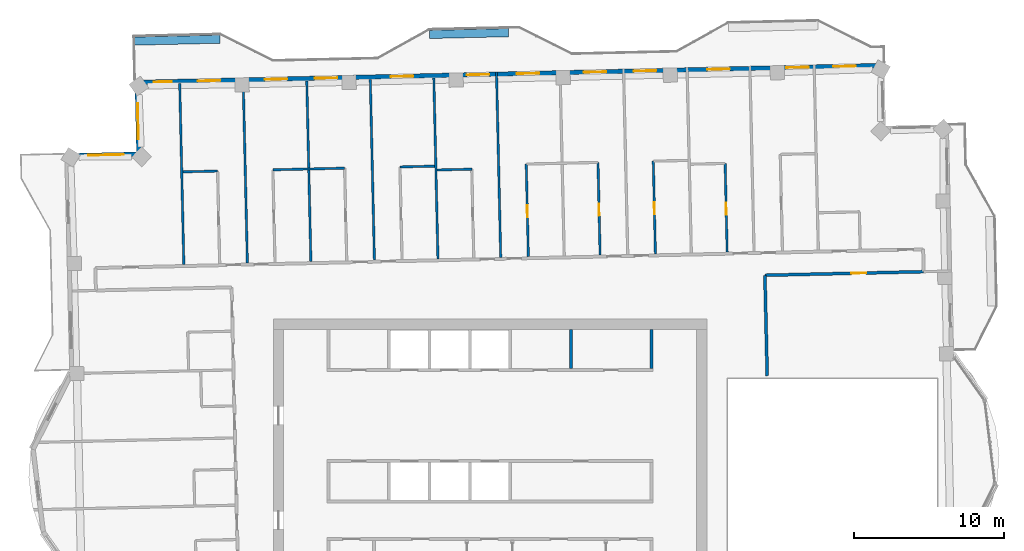
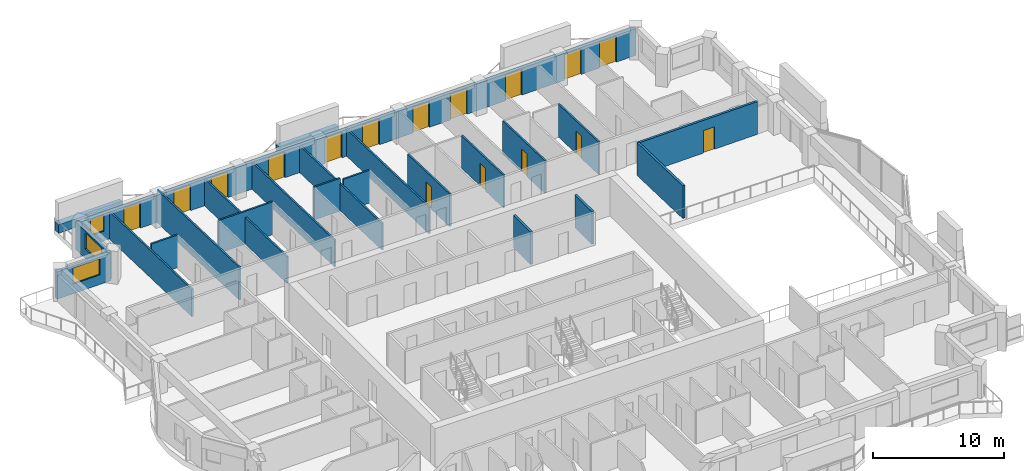
# One storey, part 12 of 18: 23 walls, 16 doors, 3 windows, 19 openings.
"""IFC4 building model written with IfcOpenShell, lengths in metres."""

from ifc_helpers import new_model, si_unit, direction, frame, frame_2d, origin, place, context, subcontext, project, spatial, rectangle, extrude, material, layer, layer_set, type_object, element, fill, save


model = new_model("IFC4")

# Units and contexts
model_context = context("Model", 3, precision=1e-05, world=origin(), true_north=direction((0.0, 1.0)))
body_context = subcontext(model_context, "Body", "Model", "MODEL_VIEW")
ifc_project = project(units=[si_unit("LENGTHUNIT", "METRE"), si_unit("AREAUNIT", "SQUARE_METRE"), si_unit("VOLUMEUNIT", "CUBIC_METRE"), si_unit("PLANEANGLEUNIT", "RADIAN"), si_unit("MASSUNIT", "GRAM", prefix="KILO")], contexts=[model_context])

# Site, building, storey
site_placement = place(None, origin())
site = spatial("IfcSite", under=ifc_project, at=site_placement, CompositionType="ELEMENT")
building_placement = place(site_placement, origin())
building = spatial("IfcBuilding", under=site, at=building_placement, Name="Mangrove Gate Tower", CompositionType="ELEMENT")
storey_placement = place(building_placement, frame((0.0, 0.0, 290.699951171875)))
storey = spatial("IfcBuildingStorey", under=building, at=storey_placement, Name="L74", CompositionType="ELEMENT", Elevation=290.699951171875)

# Walls
ifc_material_1 = material(Name="Concrete C32/40", Category="concrete")
ifc_layer_1 = layer(ifc_material_1, 0.199951171875)
ifc_layer_set_1 = layer_set([ifc_layer_1], Name="Core room wall 200 C32/40")
wall_type_1 = type_object("IfcWallType", Name="Core room wall 200 C32/40", PredefinedType="STANDARD", material=ifc_layer_set_1)
for number, where, z_axis, x_axis, name in (
    (1, (5.39990234375, 8.199951171875, 0.0), (0.0, 0.0, 1.0), (0.0, 1.0, 0.0), "WALL-L74-CORE-30"),
    (2, (10.800048828125, 8.199951171875, 0.0), (0.0, 0.0, 1.0), (0.0, 1.0, 0.0), "WALL-L74-CORE-31"),
):
    element("IfcWall", number, at=place(storey_placement, frame(where, z_axis=z_axis, x_axis=x_axis)), inside=storey, type_object=wall_type_1, Name=name, PredefinedType="STANDARD", context=body_context, shape_type="SweptSolid", body=[
        extrude(rectangle(XDim=2.60009765625, YDim=0.199951171875, at=frame_2d((1.300048828125, 0.0))), origin(), (0.0, 0.0, 1.0), 3.050048828125),
    ])
ifc_material_2 = material(Name="Gypsum board on steel stud, EI 60", Category="steel")
ifc_layer_2 = layer(ifc_material_2, 0.199951171875)
ifc_layer_set_2 = layer_set([ifc_layer_2], Name="Corridor wall EI 60")
wall_type_2 = type_object("IfcWallType", Name="Corridor wall EI 60", PredefinedType="PARTITIONING", material=ifc_layer_set_2)
wall_1_placement = place(storey_placement, frame((18.537109375, 7.714111328125, 0.0), z_axis=(0.0, 0.0, 1.0), x_axis=(-0.022773383809, 0.999740652864, 0.0)))
element("IfcWall", 3, at=wall_1_placement, inside=storey, type_object=wall_type_2, Name="WALL-L74-050", PredefinedType="PARTITIONING", context=body_context, shape_type="SweptSolid", body=[
    extrude(rectangle(XDim=6.7216796875, YDim=0.199951171875, at=frame_2d((3.36083984375, 0.0))), origin(), (0.0, 0.0, 1.0), 3.050048828125),
])

# Wall, opening, door
wall_2_placement = place(storey_placement, frame((18.382080078125, 14.43408203125, 0.0), z_axis=(0.0, 0.0, 1.0), x_axis=(0.999742819156, 0.02267808514, 0.0)))
wall_2 = element("IfcWall", 4, at=wall_2_placement, inside=storey, type_object=wall_type_2, Name="WALL-L74-057", PredefinedType="PARTITIONING", context=body_context, shape_type="SweptSolid", body=[
    extrude(rectangle(XDim=10.62548828125, YDim=0.199951171875, at=frame_2d((5.312744140625, 0.0))), origin(), (0.0, 0.0, 1.0), 3.050048828125),
])
opening_1_placement = place(wall_2_placement, frame((5.777099609375, 0.0, 0.0)))
opening_1 = element("IfcOpeningElement", 5, at=opening_1_placement, cuts=wall_2, Name="Opening AD", PredefinedType="OPENING", context=body_context, shape_type="SweptSolid", body=[
    extrude(rectangle(XDim=1.0, YDim=2.10009765625, at=frame_2d((0.5, 1.050048828125))), frame((0.0, 0.10986328125, 0.0), z_axis=(0.0, -1.0, 0.0), x_axis=(1.0, 0.0, 0.0)), (0.0, 0.0, 1.0), 0.219970703125),
])
ifc_material_3 = material(Name="Timber door leaf", Category="wood")
door_type_1 = type_object("IfcDoorType", Name="Amenity door 1000", OperationType="SINGLE_SWING_LEFT", PredefinedType="DOOR", material=ifc_material_3)
door_1_placement = place(opening_1_placement, origin())
door_1 = element("IfcDoor", 6, at=door_1_placement, inside=storey, type_object=door_type_1, Name="DOOR-L74-LNG-c3b", OperationType="SINGLE_SWING_RIGHT", OverallHeight=2.10009765625, OverallWidth=1.0, PredefinedType="DOOR", context=body_context, shape_type="SweptSolid", body=[
    extrude(rectangle(XDim=1.0, YDim=2.10009765625, at=frame_2d((0.5, 1.050048828125))), frame((0.0, 0.02490234375, 0.0), z_axis=(0.0, -1.0, 0.0), x_axis=(1.0, 0.0, 0.0)), (0.0, 0.0, 1.0), 0.050048828125),
])
fill(opening_1, door_1)

# Wall, openings, doors, window
ifc_material_4 = material(Name="Limestone", Category="masonry")
ifc_layer_3 = layer(ifc_material_4, 0.0400390625, Name="Limestone cladding")
ifc_material_5 = material(Name="Ventilated air gap")
ifc_layer_4 = layer(ifc_material_5, 0.0400390625, Name="Ventilated cavity")
ifc_material_6 = material(Name="Mineral wool insulation")
ifc_layer_5 = layer(ifc_material_6, 0.06005859375, Name="Insulation")
ifc_material_7 = material(Name="Breather membrane")
ifc_layer_6 = layer(ifc_material_7, 0.001953125, Name="Breather membrane")
ifc_material_8 = material(Name="Concrete C20/25 blockwork", Category="masonry")
ifc_layer_7 = layer(ifc_material_8, 0.14990234375, Name="Blockwork backing wall")
ifc_material_9 = material(Name="Gypsum plaster")
ifc_layer_8 = layer(ifc_material_9, 0.008056640625, Name="Internal plaster")
ifc_layer_set_3 = layer_set([ifc_layer_3, ifc_layer_4, ifc_layer_5, ifc_layer_6, ifc_layer_7, ifc_layer_8], Name="External wall 300 limestone cladding")
wall_type_3 = type_object("IfcWallType", Name="External wall 300 limestone cladding", PredefinedType="SOLIDWALL", material=ifc_layer_set_3)
wall_3_placement = place(storey_placement, frame((26.216064453125, 28.465087890625, 0.0), z_axis=(0.0, 0.0, 1.0), x_axis=(-0.999742843677, -0.022677004157, 0.0)))
wall_3 = element("IfcWall", 7, at=wall_3_placement, inside=storey, type_object=wall_type_3, Name="WALL-L74-N5", PredefinedType="SOLIDWALL", context=body_context, shape_type="SweptSolid", body=[
    extrude(rectangle(XDim=49.835693359375, YDim=0.300048828125, at=frame_2d((24.91796875, 0.0))), origin(), (0.0, 0.0, 1.0), 2.5),
])
opening_2_placement = place(wall_3_placement, frame((1.762939453125, 0.0, 0.0)))
opening_2 = element("IfcOpeningElement", 8, at=opening_2_placement, cuts=wall_3, Name="Opening BD1", PredefinedType="OPENING", context=body_context, shape_type="SweptSolid", body=[
    extrude(rectangle(XDim=1.5, YDim=2.39990234375, at=frame_2d((0.75, 1.199951171875))), frame((0.0, 0.159912109375, 0.0), z_axis=(0.0, -1.0, 0.0), x_axis=(1.0, 0.0, 0.0)), (0.0, 0.0, 1.0), 0.320068359375),
])
opening_3_placement = place(wall_3_placement, frame((4.912109375, 0.0, 0.0)))
opening_3 = element("IfcOpeningElement", 9, at=opening_3_placement, cuts=wall_3, Name="Opening BD1", PredefinedType="OPENING", context=body_context, shape_type="SweptSolid", body=[
    extrude(rectangle(XDim=1.5, YDim=2.39990234375, at=frame_2d((0.75, 1.199951171875))), frame((0.0, 0.159912109375, 0.0), z_axis=(0.0, -1.0, 0.0), x_axis=(1.0, 0.0, 0.0)), (0.0, 0.0, 1.0), 0.320068359375),
])
opening_4_placement = place(wall_3_placement, frame((10.18603515625, 0.0, 0.0)))
opening_4 = element("IfcOpeningElement", 10, at=opening_4_placement, cuts=wall_3, Name="Opening BD1", PredefinedType="OPENING", context=body_context, shape_type="SweptSolid", body=[
    extrude(rectangle(XDim=1.5, YDim=2.39990234375, at=frame_2d((0.75, 1.199951171875))), frame((0.0, 0.159912109375, 0.0), z_axis=(0.0, -1.0, 0.0), x_axis=(1.0, 0.0, 0.0)), (0.0, 0.0, 1.0), 0.320068359375),
])
opening_5_placement = place(wall_3_placement, frame((15.093017578125, 0.0, 0.0)))
opening_5 = element("IfcOpeningElement", 11, at=opening_5_placement, cuts=wall_3, Name="Opening BD1", PredefinedType="OPENING", context=body_context, shape_type="SweptSolid", body=[
    extrude(rectangle(XDim=1.5, YDim=2.39990234375, at=frame_2d((0.75, 1.199951171875))), frame((0.0, 0.159912109375, 0.0), z_axis=(0.0, -1.0, 0.0), x_axis=(1.0, 0.0, 0.0)), (0.0, 0.0, 1.0), 0.320068359375),
])
opening_6_placement = place(wall_3_placement, frame((18.448974609375, 0.0, 0.0)))
opening_6 = element("IfcOpeningElement", 12, at=opening_6_placement, cuts=wall_3, Name="Opening BD1", PredefinedType="OPENING", context=body_context, shape_type="SweptSolid", body=[
    extrude(rectangle(XDim=1.5, YDim=2.39990234375, at=frame_2d((0.75, 1.199951171875))), frame((0.0, 0.159912109375, 0.0), z_axis=(0.0, -1.0, 0.0), x_axis=(1.0, 0.0, 0.0)), (0.0, 0.0, 1.0), 0.320068359375),
])
opening_7_placement = place(wall_3_placement, frame((22.924072265625, 0.0, 0.0)))
opening_7 = element("IfcOpeningElement", 13, at=opening_7_placement, cuts=wall_3, Name="Opening BD1", PredefinedType="OPENING", context=body_context, shape_type="SweptSolid", body=[
    extrude(rectangle(XDim=1.5, YDim=2.39990234375, at=frame_2d((0.75, 1.199951171875))), frame((0.0, 0.159912109375, 0.0), z_axis=(0.0, -1.0, 0.0), x_axis=(1.0, 0.0, 0.0)), (0.0, 0.0, 1.0), 0.320068359375),
])
opening_8_placement = place(wall_3_placement, frame((26.280029296875, 0.0, 0.0)))
opening_8 = element("IfcOpeningElement", 14, at=opening_8_placement, cuts=wall_3, Name="Opening BD1", PredefinedType="OPENING", context=body_context, shape_type="SweptSolid", body=[
    extrude(rectangle(XDim=1.5, YDim=2.39990234375, at=frame_2d((0.75, 1.199951171875))), frame((0.0, 0.159912109375, 0.0), z_axis=(0.0, -1.0, 0.0), x_axis=(1.0, 0.0, 0.0)), (0.0, 0.0, 1.0), 0.320068359375),
])
opening_9_placement = place(wall_3_placement, frame((31.361083984375, 0.0, 0.0)))
opening_9 = element("IfcOpeningElement", 15, at=opening_9_placement, cuts=wall_3, Name="Opening BD1", PredefinedType="OPENING", context=body_context, shape_type="SweptSolid", body=[
    extrude(rectangle(XDim=1.5, YDim=2.39990234375, at=frame_2d((0.75, 1.199951171875))), frame((0.0, 0.159912109375, 0.0), z_axis=(0.0, -1.0, 0.0), x_axis=(1.0, 0.0, 0.0)), (0.0, 0.0, 1.0), 0.320068359375),
])
opening_10_placement = place(wall_3_placement, frame((36.43701171875, 0.0, 0.0)))
opening_10 = element("IfcOpeningElement", 16, at=opening_10_placement, cuts=wall_3, Name="Opening BD1", PredefinedType="OPENING", context=body_context, shape_type="SweptSolid", body=[
    extrude(rectangle(XDim=1.5, YDim=2.39990234375, at=frame_2d((0.75, 1.199951171875))), frame((0.0, 0.159912109375, 0.0), z_axis=(0.0, -1.0, 0.0), x_axis=(1.0, 0.0, 0.0)), (0.0, 0.0, 1.0), 0.320068359375),
])
opening_11_placement = place(wall_3_placement, frame((39.79296875, 0.0, 0.0)))
opening_11 = element("IfcOpeningElement", 17, at=opening_11_placement, cuts=wall_3, Name="Opening BD1", PredefinedType="OPENING", context=body_context, shape_type="SweptSolid", body=[
    extrude(rectangle(XDim=1.5, YDim=2.39990234375, at=frame_2d((0.75, 1.199951171875))), frame((0.0, 0.159912109375, 0.0), z_axis=(0.0, -1.0, 0.0), x_axis=(1.0, 0.0, 0.0)), (0.0, 0.0, 1.0), 0.320068359375),
])
opening_12_placement = place(wall_3_placement, frame((44.26708984375, 0.0, 0.0)))
opening_12 = element("IfcOpeningElement", 18, at=opening_12_placement, cuts=wall_3, Name="Opening BD1", PredefinedType="OPENING", context=body_context, shape_type="SweptSolid", body=[
    extrude(rectangle(XDim=1.5, YDim=2.39990234375, at=frame_2d((0.75, 1.199951171875))), frame((0.0, 0.159912109375, 0.0), z_axis=(0.0, -1.0, 0.0), x_axis=(1.0, 0.0, 0.0)), (0.0, 0.0, 1.0), 0.320068359375),
])
opening_13_placement = place(wall_3_placement, frame((47.52392578125, 0.0, 0.89990234375)))
opening_13 = element("IfcOpeningElement", 19, at=opening_13_placement, cuts=wall_3, Name="Opening W1", PredefinedType="OPENING", context=body_context, shape_type="SweptSolid", body=[
    extrude(rectangle(XDim=1.199951171875, YDim=1.5, at=frame_2d((0.60009765625, 0.75))), frame((0.0, 0.159912109375, 0.0), z_axis=(0.0, -1.0, 0.0), x_axis=(1.0, 0.0, 0.0)), (0.0, 0.0, 1.0), 0.320068359375),
])
ifc_material_10 = material(Name="Aluminium frame with laminated clear glass", Category="aluminium")
door_type_2 = type_object("IfcDoorType", Name="Balcony sliding door 1500x2400", OperationType="SLIDING_TO_LEFT", PredefinedType="DOOR", material=ifc_material_10)
door_2_placement = place(opening_2_placement, origin())
door_2 = element("IfcDoor", 20, at=door_2_placement, inside=storey, type_object=door_type_2, Name="DOOR-L74-N5-1", OperationType="SLIDING_TO_LEFT", OverallHeight=2.39990234375, OverallWidth=1.5, PredefinedType="DOOR", context=body_context, shape_type="SweptSolid", body=[
    extrude(rectangle(XDim=1.5, YDim=2.39990234375, at=frame_2d((0.75, 1.199951171875))), frame((0.0, 0.02490234375, 0.0), z_axis=(0.0, -1.0, 0.0), x_axis=(1.0, 0.0, 0.0)), (0.0, 0.0, 1.0), 0.050048828125),
])
fill(opening_2, door_2)
door_3_placement = place(opening_3_placement, origin())
door_3 = element("IfcDoor", 21, at=door_3_placement, inside=storey, type_object=door_type_2, Name="DOOR-L74-N5-2", OperationType="SLIDING_TO_LEFT", OverallHeight=2.39990234375, OverallWidth=1.5, PredefinedType="DOOR", context=body_context, shape_type="SweptSolid", body=[
    extrude(rectangle(XDim=1.5, YDim=2.39990234375, at=frame_2d((0.75, 1.199951171875))), frame((0.0, 0.02490234375, 0.0), z_axis=(0.0, -1.0, 0.0), x_axis=(1.0, 0.0, 0.0)), (0.0, 0.0, 1.0), 0.050048828125),
])
fill(opening_3, door_3)
door_4_placement = place(opening_4_placement, origin())
door_4 = element("IfcDoor", 22, at=door_4_placement, inside=storey, type_object=door_type_2, Name="DOOR-L74-N5-3", OperationType="SLIDING_TO_LEFT", OverallHeight=2.39990234375, OverallWidth=1.5, PredefinedType="DOOR", context=body_context, shape_type="SweptSolid", body=[
    extrude(rectangle(XDim=1.5, YDim=2.39990234375, at=frame_2d((0.75, 1.199951171875))), frame((0.0, 0.02490234375, 0.0), z_axis=(0.0, -1.0, 0.0), x_axis=(1.0, 0.0, 0.0)), (0.0, 0.0, 1.0), 0.050048828125),
])
fill(opening_4, door_4)
door_5_placement = place(opening_5_placement, origin())
door_5 = element("IfcDoor", 23, at=door_5_placement, inside=storey, type_object=door_type_2, Name="DOOR-L74-N5-4", OperationType="SLIDING_TO_LEFT", OverallHeight=2.39990234375, OverallWidth=1.5, PredefinedType="DOOR", context=body_context, shape_type="SweptSolid", body=[
    extrude(rectangle(XDim=1.5, YDim=2.39990234375, at=frame_2d((0.75, 1.199951171875))), frame((0.0, 0.02490234375, 0.0), z_axis=(0.0, -1.0, 0.0), x_axis=(1.0, 0.0, 0.0)), (0.0, 0.0, 1.0), 0.050048828125),
])
fill(opening_5, door_5)
door_6_placement = place(opening_6_placement, origin())
door_6 = element("IfcDoor", 24, at=door_6_placement, inside=storey, type_object=door_type_2, Name="DOOR-L74-N5-5", OperationType="SLIDING_TO_LEFT", OverallHeight=2.39990234375, OverallWidth=1.5, PredefinedType="DOOR", context=body_context, shape_type="SweptSolid", body=[
    extrude(rectangle(XDim=1.5, YDim=2.39990234375, at=frame_2d((0.75, 1.199951171875))), frame((0.0, 0.02490234375, 0.0), z_axis=(0.0, -1.0, 0.0), x_axis=(1.0, 0.0, 0.0)), (0.0, 0.0, 1.0), 0.050048828125),
])
fill(opening_6, door_6)
door_7_placement = place(opening_7_placement, origin())
door_7 = element("IfcDoor", 25, at=door_7_placement, inside=storey, type_object=door_type_2, Name="DOOR-L74-N5-6", OperationType="SLIDING_TO_LEFT", OverallHeight=2.39990234375, OverallWidth=1.5, PredefinedType="DOOR", context=body_context, shape_type="SweptSolid", body=[
    extrude(rectangle(XDim=1.5, YDim=2.39990234375, at=frame_2d((0.75, 1.199951171875))), frame((0.0, 0.02490234375, 0.0), z_axis=(0.0, -1.0, 0.0), x_axis=(1.0, 0.0, 0.0)), (0.0, 0.0, 1.0), 0.050048828125),
])
fill(opening_7, door_7)
door_8_placement = place(opening_8_placement, origin())
door_8 = element("IfcDoor", 26, at=door_8_placement, inside=storey, type_object=door_type_2, Name="DOOR-L74-N5-7", OperationType="SLIDING_TO_LEFT", OverallHeight=2.39990234375, OverallWidth=1.5, PredefinedType="DOOR", context=body_context, shape_type="SweptSolid", body=[
    extrude(rectangle(XDim=1.5, YDim=2.39990234375, at=frame_2d((0.75, 1.199951171875))), frame((0.0, 0.02490234375, 0.0), z_axis=(0.0, -1.0, 0.0), x_axis=(1.0, 0.0, 0.0)), (0.0, 0.0, 1.0), 0.050048828125),
])
fill(opening_8, door_8)
door_9_placement = place(opening_9_placement, origin())
door_9 = element("IfcDoor", 27, at=door_9_placement, inside=storey, type_object=door_type_2, Name="DOOR-L74-N5-8", OperationType="SLIDING_TO_LEFT", OverallHeight=2.39990234375, OverallWidth=1.5, PredefinedType="DOOR", context=body_context, shape_type="SweptSolid", body=[
    extrude(rectangle(XDim=1.5, YDim=2.39990234375, at=frame_2d((0.75, 1.199951171875))), frame((0.0, 0.02490234375, 0.0), z_axis=(0.0, -1.0, 0.0), x_axis=(1.0, 0.0, 0.0)), (0.0, 0.0, 1.0), 0.050048828125),
])
fill(opening_9, door_9)
door_10_placement = place(opening_10_placement, origin())
door_10 = element("IfcDoor", 28, at=door_10_placement, inside=storey, type_object=door_type_2, Name="DOOR-L74-N5-9", OperationType="SLIDING_TO_LEFT", OverallHeight=2.39990234375, OverallWidth=1.5, PredefinedType="DOOR", context=body_context, shape_type="SweptSolid", body=[
    extrude(rectangle(XDim=1.5, YDim=2.39990234375, at=frame_2d((0.75, 1.199951171875))), frame((0.0, 0.02490234375, 0.0), z_axis=(0.0, -1.0, 0.0), x_axis=(1.0, 0.0, 0.0)), (0.0, 0.0, 1.0), 0.050048828125),
])
fill(opening_10, door_10)
door_11_placement = place(opening_11_placement, origin())
door_11 = element("IfcDoor", 29, at=door_11_placement, inside=storey, type_object=door_type_2, Name="DOOR-L74-N5-10", OperationType="SLIDING_TO_LEFT", OverallHeight=2.39990234375, OverallWidth=1.5, PredefinedType="DOOR", context=body_context, shape_type="SweptSolid", body=[
    extrude(rectangle(XDim=1.5, YDim=2.39990234375, at=frame_2d((0.75, 1.199951171875))), frame((0.0, 0.02490234375, 0.0), z_axis=(0.0, -1.0, 0.0), x_axis=(1.0, 0.0, 0.0)), (0.0, 0.0, 1.0), 0.050048828125),
])
fill(opening_11, door_11)
door_12_placement = place(opening_12_placement, origin())
door_12 = element("IfcDoor", 30, at=door_12_placement, inside=storey, type_object=door_type_2, Name="DOOR-L74-N5-11", OperationType="SLIDING_TO_LEFT", OverallHeight=2.39990234375, OverallWidth=1.5, PredefinedType="DOOR", context=body_context, shape_type="SweptSolid", body=[
    extrude(rectangle(XDim=1.5, YDim=2.39990234375, at=frame_2d((0.75, 1.199951171875))), frame((0.0, 0.02490234375, 0.0), z_axis=(0.0, -1.0, 0.0), x_axis=(1.0, 0.0, 0.0)), (0.0, 0.0, 1.0), 0.050048828125),
])
fill(opening_12, door_12)
ifc_material_11 = material(Name="Aluminium frame with double-glazed low-e glass", Category="aluminium")
window_type_1 = type_object("IfcWindowType", Name="Side lite 1200x1500", PartitioningType="SINGLE_PANEL", PredefinedType="WINDOW", material=ifc_material_11)
window_1_placement = place(opening_13_placement, origin())
window_1 = element("IfcWindow", 31, at=window_1_placement, inside=storey, type_object=window_type_1, Name="WIN-L74-N5-12", OverallHeight=1.5, OverallWidth=1.199951171875, PartitioningType="SINGLE_PANEL", PredefinedType="WINDOW", context=body_context, shape_type="SweptSolid", body=[
    extrude(rectangle(XDim=1.199951171875, YDim=1.5, at=frame_2d((0.60009765625, 0.75))), frame((0.0, 0.030029296875, 0.0), z_axis=(0.0, -1.0, 0.0), x_axis=(1.0, 0.0, 0.0)), (0.0, 0.0, 1.0), 0.06005859375),
])
fill(opening_13, window_1)

# Wall, opening, window
wall_4_placement = place(storey_placement, frame((-23.60693359375, 27.3349609375, 0.0), z_axis=(0.0, 0.0, 1.0), x_axis=(0.022683280499, -0.999742701292, 0.0)))
wall_4 = element("IfcWall", 32, at=wall_4_placement, inside=storey, type_object=wall_type_3, Name="WALL-L74-W6", PredefinedType="SOLIDWALL", context=body_context, shape_type="SweptSolid", body=[
    extrude(rectangle(XDim=4.80029296875, YDim=0.300048828125, at=frame_2d((2.400146484375, 0.0))), origin(), (0.0, 0.0, 1.0), 2.550048828125),
])
opening_14_placement = place(wall_4_placement, frame((1.408935546875, 0.0, 0.89990234375)))
opening_14 = element("IfcOpeningElement", 33, at=opening_14_placement, cuts=wall_4, Name="Opening W2", PredefinedType="OPENING", context=body_context, shape_type="SweptSolid", body=[
    extrude(rectangle(XDim=2.39990234375, YDim=1.5, at=frame_2d((1.199951171875, 0.75))), frame((0.0, 0.159912109375, 0.0), z_axis=(0.0, -1.0, 0.0), x_axis=(1.0, 0.0, 0.0)), (0.0, 0.0, 1.0), 0.320068359375),
])
ifc_material_12 = material(Name="Aluminium frame with double-glazed low-e glass", Category="aluminium")
window_type_2 = type_object("IfcWindowType", Name="Corner room window 2400x1500", PartitioningType="DOUBLE_PANEL_VERTICAL", PredefinedType="WINDOW", material=ifc_material_12)
window_2_placement = place(opening_14_placement, origin())
window_2 = element("IfcWindow", 34, at=window_2_placement, inside=storey, type_object=window_type_2, Name="WIN-L74-W6-1", OverallHeight=1.5, OverallWidth=2.39990234375, PartitioningType="DOUBLE_PANEL_VERTICAL", PredefinedType="WINDOW", context=body_context, shape_type="SweptSolid", body=[
    extrude(rectangle(XDim=2.39990234375, YDim=1.5, at=frame_2d((1.199951171875, 0.75))), frame((0.0, 0.030029296875, 0.0), z_axis=(0.0, -1.0, 0.0), x_axis=(1.0, 0.0, 0.0)), (0.0, 0.0, 1.0), 0.06005859375),
])
fill(opening_14, window_2)

wall_5_placement = place(storey_placement, frame((-23.498046875, 22.535888671875, 0.0), z_axis=(0.0, 0.0, 1.0), x_axis=(-0.999742701292, -0.022683280499, 0.0)))
wall_5 = element("IfcWall", 35, at=wall_5_placement, inside=storey, type_object=wall_type_3, Name="WALL-L74-N7", PredefinedType="SOLIDWALL", context=body_context, shape_type="SweptSolid", body=[
    extrude(rectangle(XDim=4.80029296875, YDim=0.300048828125, at=frame_2d((2.400146484375, 0.0))), origin(), (0.0, 0.0, 1.0), 2.550048828125),
])
opening_15_placement = place(wall_5_placement, frame((0.989990234375, 0.0, 0.89990234375)))
opening_15 = element("IfcOpeningElement", 36, at=opening_15_placement, cuts=wall_5, Name="Opening W2", PredefinedType="OPENING", context=body_context, shape_type="SweptSolid", body=[
    extrude(rectangle(XDim=2.39990234375, YDim=1.5, at=frame_2d((1.199951171875, 0.75))), frame((0.0, 0.159912109375, 0.0), z_axis=(0.0, -1.0, 0.0), x_axis=(1.0, 0.0, 0.0)), (0.0, 0.0, 1.0), 0.320068359375),
])
window_3_placement = place(opening_15_placement, origin())
window_3 = element("IfcWindow", 37, at=window_3_placement, inside=storey, type_object=window_type_2, Name="WIN-L74-N7-1", OverallHeight=1.5, OverallWidth=2.39990234375, PartitioningType="DOUBLE_PANEL_VERTICAL", PredefinedType="WINDOW", context=body_context, shape_type="SweptSolid", body=[
    extrude(rectangle(XDim=2.39990234375, YDim=1.5, at=frame_2d((1.199951171875, 0.75))), frame((0.0, 0.030029296875, 0.0), z_axis=(0.0, -1.0, 0.0), x_axis=(1.0, 0.0, 0.0)), (0.0, 0.0, 1.0), 0.06005859375),
])
fill(opening_15, window_3)

# Walls
ifc_material_13 = material(Name="Gypsum board on steel stud, EI 60", Category="steel")
ifc_layer_9 = layer(ifc_material_13, 0.14990234375)
ifc_layer_set_4 = layer_set([ifc_layer_9], Name="Party wall 150 EI 60")
wall_type_4 = type_object("IfcWallType", Name="Party wall 150 EI 60", PredefinedType="PARTITIONING", material=ifc_layer_set_4)
wall_6_placement = place(storey_placement, frame((-20.48193359375, 15.152099609375, 0.0), z_axis=(0.0, 0.0, 1.0), x_axis=(-0.022737445516, 0.999741470867, 0.0)))
element("IfcWall", 38, at=wall_6_placement, inside=storey, type_object=wall_type_4, Name="WALL-L74-061", PredefinedType="PARTITIONING", context=body_context, shape_type="SweptSolid", body=[
    extrude(rectangle(XDim=12.10107421875, YDim=0.14990234375, at=frame_2d((6.050537109375, 0.0))), origin(), (0.0, 0.0, 1.0), 2.550048828125),
])
wall_7_placement = place(storey_placement, frame((-16.23291015625, 15.2490234375, 0.0), z_axis=(0.0, 0.0, 1.0), x_axis=(-0.02273928012, 0.99974142914, 0.0)))
element("IfcWall", 39, at=wall_7_placement, inside=storey, type_object=wall_type_4, Name="WALL-L74-063", PredefinedType="PARTITIONING", context=body_context, shape_type="SweptSolid", body=[
    extrude(rectangle(XDim=12.10009765625, YDim=0.14990234375, at=frame_2d((6.050048828125, 0.0))), origin(), (0.0, 0.0, 1.0), 3.050048828125),
])
wall_8_placement = place(storey_placement, frame((-11.98388671875, 15.344970703125, 0.0), z_axis=(0.0, 0.0, 1.0), x_axis=(-0.02273928012, 0.99974142914, 0.0)))
element("IfcWall", 40, at=wall_8_placement, inside=storey, type_object=wall_type_4, Name="WALL-L74-065", PredefinedType="PARTITIONING", context=body_context, shape_type="SweptSolid", body=[
    extrude(rectangle(XDim=12.10009765625, YDim=0.14990234375, at=frame_2d((6.050048828125, 0.0))), origin(), (0.0, 0.0, 1.0), 2.5),
])
wall_9_placement = place(storey_placement, frame((-7.735107421875, 15.44189453125, 0.0), z_axis=(0.0, 0.0, 1.0), x_axis=(-0.022718655443, 0.999741898039, 0.0)))
element("IfcWall", 41, at=wall_9_placement, inside=storey, type_object=wall_type_4, Name="WALL-L74-067", PredefinedType="PARTITIONING", context=body_context, shape_type="SweptSolid", body=[
    extrude(rectangle(XDim=12.100341796875, YDim=0.14990234375, at=frame_2d((6.05029296875, 0.0))), origin(), (0.0, 0.0, 1.0), 2.5),
])
wall_10_placement = place(storey_placement, frame((-3.486083984375, 15.5380859375, 0.0), z_axis=(0.0, 0.0, 1.0), x_axis=(-0.022719113715, 0.999741887625, 0.0)))
element("IfcWall", 42, at=wall_10_placement, inside=storey, type_object=wall_type_4, Name="WALL-L74-069", PredefinedType="PARTITIONING", context=body_context, shape_type="SweptSolid", body=[
    extrude(rectangle(XDim=12.10009765625, YDim=0.14990234375, at=frame_2d((6.050048828125, 0.0))), origin(), (0.0, 0.0, 1.0), 2.5),
])
wall_11_placement = place(storey_placement, frame((0.712890625, 15.633056640625, 0.0), z_axis=(0.0, 0.0, 1.0), x_axis=(-0.022740189192, 0.999741408463, 0.0)))
element("IfcWall", 43, at=wall_11_placement, inside=storey, type_object=wall_type_4, Name="WALL-L74-071", PredefinedType="PARTITIONING", context=body_context, shape_type="SweptSolid", body=[
    extrude(rectangle(XDim=12.400146484375, YDim=0.14990234375, at=frame_2d((6.2001953125, 0.0))), origin(), (0.0, 0.0, 1.0), 2.5),
])

# Wall, opening, door
wall_12_placement = place(storey_placement, frame((2.56201171875, 15.675048828125, 0.0), z_axis=(0.0, 0.0, 1.0), x_axis=(-0.02275807565, 0.999741001456, 0.0)))
wall_12 = element("IfcWall", 44, at=wall_12_placement, inside=storey, type_object=wall_type_4, Name="WALL-L74-072", PredefinedType="PARTITIONING", context=body_context, shape_type="SweptSolid", body=[
    extrude(rectangle(XDim=6.20068359375, YDim=0.14990234375, at=frame_2d((3.100341796875, 0.0))), origin(), (0.0, 0.0, 1.0), 3.050048828125),
])
opening_16_placement = place(wall_12_placement, frame((2.64990234375, 0.0, 0.0)))
opening_16 = element("IfcOpeningElement", 45, at=opening_16_placement, cuts=wall_12, Name="Opening ED", PredefinedType="OPENING", context=body_context, shape_type="SweptSolid", body=[
    extrude(rectangle(XDim=0.800048828125, YDim=2.10009765625, at=frame_2d((0.39990234375, 1.050048828125))), frame((0.0, 0.0849609375, 0.0), z_axis=(0.0, -1.0, 0.0), x_axis=(1.0, 0.0, 0.0)), (0.0, 0.0, 1.0), 0.169921875),
])
ifc_material_14 = material(Name="Timber door leaf", Category="wood")
door_type_3 = type_object("IfcDoorType", Name="En-suite door 800", OperationType="SINGLE_SWING_LEFT", PredefinedType="DOOR", material=ifc_material_14)
door_13_placement = place(opening_16_placement, origin())
door_13 = element("IfcDoor", 46, at=door_13_placement, inside=storey, type_object=door_type_3, Name="DOOR-L74-ENS-c414", OperationType="SINGLE_SWING_RIGHT", OverallHeight=2.10009765625, OverallWidth=0.800048828125, PredefinedType="DOOR", context=body_context, shape_type="SweptSolid", body=[
    extrude(rectangle(XDim=0.800048828125, YDim=2.10009765625, at=frame_2d((0.39990234375, 1.050048828125))), frame((0.0, 0.02490234375, 0.0), z_axis=(0.0, -1.0, 0.0), x_axis=(1.0, 0.0, 0.0)), (0.0, 0.0, 1.0), 0.050048828125),
])
fill(opening_16, door_13)

wall_13_placement = place(storey_placement, frame((7.361083984375, 15.783935546875, 0.0), z_axis=(0.0, 0.0, 1.0), x_axis=(-0.02275807565, 0.999741001456, 0.0)))
wall_13 = element("IfcWall", 47, at=wall_13_placement, inside=storey, type_object=wall_type_4, Name="WALL-L74-074", PredefinedType="PARTITIONING", context=body_context, shape_type="SweptSolid", body=[
    extrude(rectangle(XDim=6.20068359375, YDim=0.14990234375, at=frame_2d((3.100341796875, 0.0))), origin(), (0.0, 0.0, 1.0), 3.050048828125),
])
opening_17_placement = place(wall_13_placement, frame((2.64990234375, 0.0, 0.0)))
opening_17 = element("IfcOpeningElement", 48, at=opening_17_placement, cuts=wall_13, Name="Opening ED", PredefinedType="OPENING", context=body_context, shape_type="SweptSolid", body=[
    extrude(rectangle(XDim=0.800048828125, YDim=2.10009765625, at=frame_2d((0.39990234375, 1.050048828125))), frame((0.0, 0.0849609375, 0.0), z_axis=(0.0, -1.0, 0.0), x_axis=(1.0, 0.0, 0.0)), (0.0, 0.0, 1.0), 0.169921875),
])
door_14_placement = place(opening_17_placement, origin())
door_14 = element("IfcDoor", 49, at=door_14_placement, inside=storey, type_object=door_type_3, Name="DOOR-L74-ENS-c413", OperationType="SINGLE_SWING_LEFT", OverallHeight=2.10009765625, OverallWidth=0.800048828125, PredefinedType="DOOR", context=body_context, shape_type="SweptSolid", body=[
    extrude(rectangle(XDim=0.800048828125, YDim=2.10009765625, at=frame_2d((0.39990234375, 1.050048828125))), frame((0.0, 0.02490234375, 0.0), z_axis=(0.0, -1.0, 0.0), x_axis=(1.0, 0.0, 0.0)), (0.0, 0.0, 1.0), 0.050048828125),
])
fill(opening_17, door_14)

wall_14_placement = place(storey_placement, frame((11.06005859375, 15.867919921875, 0.0), z_axis=(0.0, 0.0, 1.0), x_axis=(-0.02275807565, 0.999741001456, 0.0)))
wall_14 = element("IfcWall", 50, at=wall_14_placement, inside=storey, type_object=wall_type_4, Name="WALL-L74-076", PredefinedType="PARTITIONING", context=body_context, shape_type="SweptSolid", body=[
    extrude(rectangle(XDim=6.20068359375, YDim=0.14990234375, at=frame_2d((3.100341796875, 0.0))), origin(), (0.0, 0.0, 1.0), 3.050048828125),
])
opening_18_placement = place(wall_14_placement, frame((2.64990234375, 0.0, 0.0)))
opening_18 = element("IfcOpeningElement", 51, at=opening_18_placement, cuts=wall_14, Name="Opening ED", PredefinedType="OPENING", context=body_context, shape_type="SweptSolid", body=[
    extrude(rectangle(XDim=0.800048828125, YDim=2.10009765625, at=frame_2d((0.39990234375, 1.050048828125))), frame((0.0, 0.0849609375, 0.0), z_axis=(0.0, -1.0, 0.0), x_axis=(1.0, 0.0, 0.0)), (0.0, 0.0, 1.0), 0.169921875),
])
door_15_placement = place(opening_18_placement, origin())
door_15 = element("IfcDoor", 52, at=door_15_placement, inside=storey, type_object=door_type_3, Name="DOOR-L74-ENS-c312", OperationType="SINGLE_SWING_RIGHT", OverallHeight=2.10009765625, OverallWidth=0.800048828125, PredefinedType="DOOR", context=body_context, shape_type="SweptSolid", body=[
    extrude(rectangle(XDim=0.800048828125, YDim=2.10009765625, at=frame_2d((0.39990234375, 1.050048828125))), frame((0.0, 0.02490234375, 0.0), z_axis=(0.0, -1.0, 0.0), x_axis=(1.0, 0.0, 0.0)), (0.0, 0.0, 1.0), 0.050048828125),
])
fill(opening_18, door_15)

wall_15_placement = place(storey_placement, frame((15.85888671875, 15.97705078125, 0.0), z_axis=(0.0, 0.0, 1.0), x_axis=(-0.022685930195, 0.999742641169, 0.0)))
wall_15 = element("IfcWall", 53, at=wall_15_placement, inside=storey, type_object=wall_type_4, Name="WALL-L74-078", PredefinedType="PARTITIONING", context=body_context, shape_type="SweptSolid", body=[
    extrude(rectangle(XDim=5.9404296875, YDim=0.14990234375, at=frame_2d((2.97021484375, 0.0))), origin(), (0.0, 0.0, 1.0), 3.050048828125),
])
opening_19_placement = place(wall_15_placement, frame((2.52001953125, 0.0, 0.0)))
opening_19 = element("IfcOpeningElement", 54, at=opening_19_placement, cuts=wall_15, Name="Opening ED", PredefinedType="OPENING", context=body_context, shape_type="SweptSolid", body=[
    extrude(rectangle(XDim=0.800048828125, YDim=2.10009765625, at=frame_2d((0.39990234375, 1.050048828125))), frame((0.0, 0.0849609375, 0.0), z_axis=(0.0, -1.0, 0.0), x_axis=(1.0, 0.0, 0.0)), (0.0, 0.0, 1.0), 0.169921875),
])
door_16_placement = place(opening_19_placement, origin())
door_16 = element("IfcDoor", 55, at=door_16_placement, inside=storey, type_object=door_type_3, Name="DOOR-L74-ENS-c311", OperationType="SINGLE_SWING_LEFT", OverallHeight=2.10009765625, OverallWidth=0.800048828125, PredefinedType="DOOR", context=body_context, shape_type="SweptSolid", body=[
    extrude(rectangle(XDim=0.800048828125, YDim=2.10009765625, at=frame_2d((0.39990234375, 1.050048828125))), frame((0.0, 0.02490234375, 0.0), z_axis=(0.0, -1.0, 0.0), x_axis=(1.0, 0.0, 0.0)), (0.0, 0.0, 1.0), 0.050048828125),
])
fill(opening_19, door_16)

# Walls
wall_16_placement = place(storey_placement, frame((-3.5439453125, 21.47802734375, 0.0), z_axis=(0.0, 0.0, 1.0), x_axis=(0.999740260747, 0.02279059109, 0.0)))
element("IfcWall", 56, at=wall_16_placement, inside=storey, type_object=wall_type_4, Name="WALL-L74-084", PredefinedType="PARTITIONING", context=body_context, shape_type="SweptSolid", body=[
    extrude(rectangle(XDim=2.324462890625, YDim=0.14990234375, at=frame_2d((1.162109375, 0.0))), origin(), (0.0, 0.0, 1.0), 3.050048828125),
])
wall_17_placement = place(storey_placement, frame((-20.5458984375, 21.35302734375, 0.0), z_axis=(0.0, 0.0, 1.0), x_axis=(0.999749954681, 0.022361308448, 0.0)))
element("IfcWall", 57, at=wall_17_placement, inside=storey, type_object=wall_type_4, Name="WALL-L74-086", PredefinedType="PARTITIONING", context=body_context, shape_type="SweptSolid", body=[
    extrude(rectangle(XDim=2.325439453125, YDim=0.14990234375, at=frame_2d((1.16259765625, 0.0))), origin(), (0.0, 0.0, 1.0), 3.050048828125),
])
wall_18_placement = place(storey_placement, frame((-14.52197265625, 21.489013671875, 0.0), z_axis=(0.0, 0.0, 1.0), x_axis=(0.999742701292, 0.022683280499, 0.0)))
element("IfcWall", 58, at=wall_18_placement, inside=storey, type_object=wall_type_4, Name="WALL-L74-087", PredefinedType="PARTITIONING", context=body_context, shape_type="SweptSolid", body=[
    extrude(rectangle(XDim=4.80029296875, YDim=0.14990234375, at=frame_2d((2.400146484375, 0.0))), origin(), (0.0, 0.0, 1.0), 3.050048828125),
])
wall_19_placement = place(storey_placement, frame((-6.02392578125, 21.681884765625, 0.0), z_axis=(0.0, 0.0, 1.0), x_axis=(0.999737862264, 0.022895561926, 0.0)))
element("IfcWall", 59, at=wall_19_placement, inside=storey, type_object=wall_type_4, Name="WALL-L74-088", PredefinedType="PARTITIONING", context=body_context, shape_type="SweptSolid", body=[
    extrude(rectangle(XDim=2.324462890625, YDim=0.14990234375, at=frame_2d((1.162109375, 0.0))), origin(), (0.0, 0.0, 1.0), 3.050048828125),
])
ifc_material_15 = material(Name="Concrete C32/40", Category="concrete")
ifc_layer_10 = layer(ifc_material_15, 0.199951171875, Name="Planter trough wall")
ifc_material_16 = material(Name="Bituminous waterproofing membrane")
ifc_layer_11 = layer(ifc_material_16, 0.0048828125, Name="Waterproofing")
ifc_material_17 = material(Name="Drainage board and gravel")
ifc_layer_12 = layer(ifc_material_17, 0.044921875, Name="Drainage layer")
ifc_material_18 = material(Name="Planting soil")
ifc_layer_13 = layer(ifc_material_18, 0.300048828125, Name="Growing medium")
ifc_layer_set_5 = layer_set([ifc_layer_10, ifc_layer_11, ifc_layer_12, ifc_layer_13], Name="Planter wall 550 C32/40")
wall_type_5 = type_object("IfcWallType", Name="Planter wall 550 C32/40", PredefinedType="USERDEFINED", material=ifc_layer_set_5)
wall_20_placement = place(storey_placement, frame((-23.820068359375, 30.095947265625, 0.0), z_axis=(0.0, 0.0, 1.0), x_axis=(0.999745450448, 0.022561788682, 0.0)))
element("IfcWall", 60, at=wall_20_placement, inside=storey, type_object=wall_type_5, Name="PLANTER L74 N1.1", ObjectType="PLANTER", PredefinedType="USERDEFINED", context=body_context, shape_type="SweptSolid", body=[
    extrude(rectangle(XDim=5.767578125, YDim=0.550048828125, at=frame_2d((2.8837890625, 0.0))), origin(), (0.0, 0.0, 1.0), 0.800048828125),
])
wall_21_placement = place(storey_placement, frame((-4.056884765625, 30.5439453125, 0.0), z_axis=(0.0, 0.0, 1.0), x_axis=(0.999743070872, 0.022666985754, 0.0)))
element("IfcWall", 61, at=wall_21_placement, inside=storey, type_object=wall_type_5, Name="PLANTER L74 N1.2", ObjectType="PLANTER", PredefinedType="USERDEFINED", context=body_context, shape_type="SweptSolid", body=[
    extrude(rectangle(XDim=5.29931640625, YDim=0.550048828125, at=frame_2d((2.649658203125, 0.0))), origin(), (0.0, 0.0, 1.0), 0.800048828125),
])

save(model, "model.ifc")
